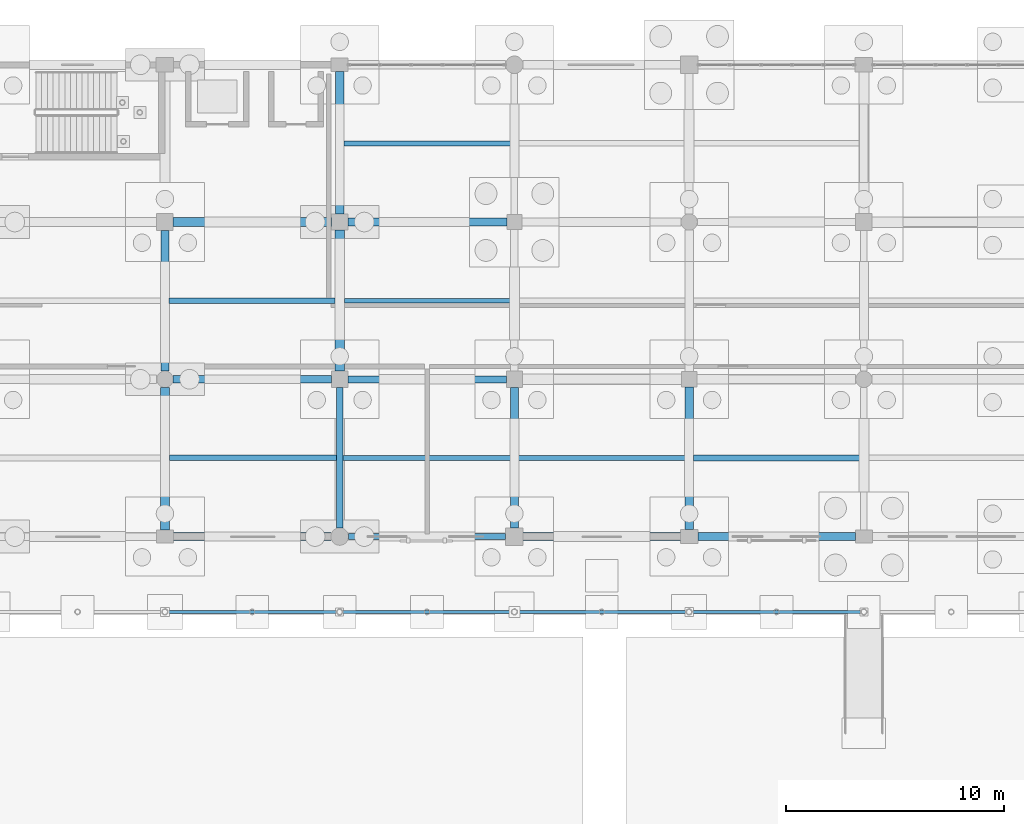
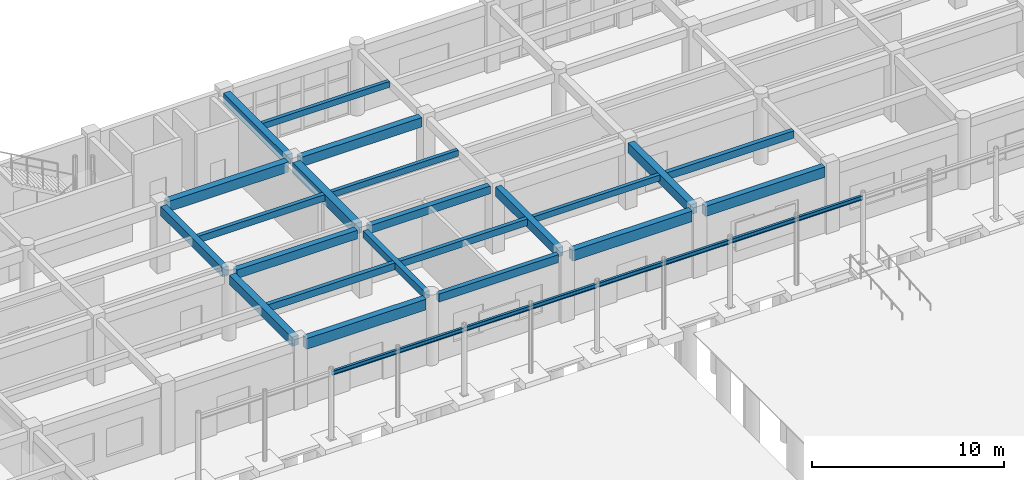
# One storey, part 66 of 166: 26 beams.
"""IFC4 building model written with IfcOpenShell, lengths in metres."""

from ifc_helpers import new_model, si_unit, direction, frame, origin, origin_2d, place, context, subcontext, project, spatial, rectangle, i_section, extrude, material, material_profile, profile_set, type_object, element, save


model = new_model("IFC4")

# Units and contexts
model_context = context("Model", 3, precision=1e-05, world=origin(), true_north=direction((0.0, 1.0)))
body_context = subcontext(model_context, "Body", "Model", "MODEL_VIEW")
ifc_project = project(units=[si_unit("LENGTHUNIT", "METRE"), si_unit("AREAUNIT", "SQUARE_METRE"), si_unit("VOLUMEUNIT", "CUBIC_METRE"), si_unit("PLANEANGLEUNIT", "RADIAN"), si_unit("MASSUNIT", "GRAM", prefix="KILO")], contexts=[model_context])

# Site, building, storey
site_placement = place(None, origin())
site = spatial("IfcSite", under=ifc_project, at=site_placement, CompositionType="ELEMENT")
building_placement = place(site_placement, origin())
building = spatial("IfcBuilding", under=site, at=building_placement, Name="Kharva Crest Polytechnic", CompositionType="ELEMENT")
storey_placement = place(building_placement, origin())
storey = spatial("IfcBuildingStorey", under=building, at=storey_placement, Name="L00", CompositionType="ELEMENT", Elevation=0.0)

# Beams
ifc_material_1 = material(Name="Concrete C35/45", Category="concrete")
ifc_material_profile_1 = material_profile(ifc_material_1, rectangle(XDim=0.300048828125, YDim=0.449951171875, at=origin_2d()), Name="RECT 300 X 450")
ifc_profile_set_1 = profile_set([ifc_material_profile_1], Name="Concrete C35/45")
beam_type_1 = type_object("IfcBeamType", Name="BM-RC-300X450", PredefinedType="BEAM", material=ifc_profile_set_1)
beam_1_placement = place(storey_placement, frame((72.0, 100.800048828125, 3.9951171875), z_axis=(0.0, 1.0, 0.0), x_axis=(-1.0, 0.0, 0.0)))
element("IfcBeam", 1, at=beam_1_placement, inside=storey, type_object=beam_type_1, Name="L00 Girder 10/P-Q", PredefinedType="BEAM", context=body_context, shape_type="SweptSolid", body=[
    extrude(rectangle(XDim=0.300048828125, YDim=0.449951171875, at=origin_2d()), origin(), (0.0, 0.0, 1.0), 6.419921875),
])
ifc_material_profile_2 = material_profile(ifc_material_1, rectangle(XDim=0.320068359375, YDim=0.5, at=origin_2d()), Name="RECT 320 X 500")
ifc_profile_set_2 = profile_set([ifc_material_profile_2], Name="Concrete C35/45")
beam_type_2 = type_object("IfcBeamType", Name="BM-RC-320X500", PredefinedType="BEAM", material=ifc_profile_set_2)
beam_2_placement = place(storey_placement, frame((72.3798828125, 107.60009765625, 3.969970703125), z_axis=(1.0, 0.0, 0.0), x_axis=(0.0, 1.0, 0.0)))
element("IfcBeam", 2, at=beam_2_placement, inside=storey, type_object=beam_type_2, Name="L00 Beam Q/10-11", PredefinedType="BEAM", context=body_context, shape_type="SweptSolid", body=[
    extrude(rectangle(XDim=0.320068359375, YDim=0.5, at=origin_2d()), origin(), (0.0, 0.0, 1.0), 7.25),
])
ifc_material_profile_3 = material_profile(ifc_material_1, rectangle(XDim=0.35009765625, YDim=0.550048828125, at=origin_2d()), Name="RECT 350 X 550")
ifc_profile_set_3 = profile_set([ifc_material_profile_3], Name="Concrete C35/45")
beam_type_3 = type_object("IfcBeamType", Name="BM-RC-350X550", PredefinedType="BEAM", material=ifc_profile_set_3)
beam_3_placement = place(storey_placement, frame((64.375, 107.60009765625, 3.945068359375), z_axis=(1.0, 0.0, 0.0), x_axis=(0.0, 1.0, 0.0)))
element("IfcBeam", 3, at=beam_3_placement, inside=storey, type_object=beam_type_3, Name="L00 Beam Q/9-10", PredefinedType="BEAM", context=body_context, shape_type="SweptSolid", body=[
    extrude(rectangle(XDim=0.35009765625, YDim=0.550048828125, at=origin_2d()), origin(), (0.0, 0.0, 1.0), 7.2451171875),
])
ifc_material_profile_4 = material_profile(ifc_material_1, rectangle(XDim=0.360107421875, YDim=0.580078125, at=origin_2d()), Name="RECT 360 X 580")
ifc_profile_set_4 = profile_set([ifc_material_profile_4], Name="Concrete C35/45")
beam_type_4 = type_object("IfcBeamType", Name="BM-RC-360X580", PredefinedType="BEAM", material=ifc_profile_set_4)
beam_4_placement = place(storey_placement, frame((64.0, 107.97509765625, 3.929931640625), z_axis=(0.0, 1.0, 0.0), x_axis=(-1.0, 0.0, 0.0)))
element("IfcBeam", 4, at=beam_4_placement, inside=storey, type_object=beam_type_4, Name="L00 Girder 9/Q-R", PredefinedType="BEAM", context=body_context, shape_type="SweptSolid", body=[
    extrude(rectangle(XDim=0.360107421875, YDim=0.580078125, at=origin_2d()), origin(), (0.0, 0.0, 1.0), 6.44482421875),
])
beam_5_placement = place(storey_placement, frame((80.0, 100.800048828125, 3.929931640625), z_axis=(0.0, 1.0, 0.0), x_axis=(-1.0, 0.0, 0.0)))
element("IfcBeam", 5, at=beam_5_placement, inside=storey, type_object=beam_type_4, Name="L00 Girder 11/P-Q", PredefinedType="BEAM", context=body_context, shape_type="SweptSolid", body=[
    extrude(rectangle(XDim=0.360107421875, YDim=0.580078125, at=origin_2d()), origin(), (0.0, 0.0, 1.0), 6.429931640625),
])
ifc_material_profile_5 = material_profile(ifc_material_1, rectangle(XDim=0.3798828125, YDim=0.60009765625, at=origin_2d()), Name="RECT 380 X 600")
ifc_profile_set_5 = profile_set([ifc_material_profile_5], Name="Concrete C35/45")
beam_type_5 = type_object("IfcBeamType", Name="BM-RC-380X600", PredefinedType="BEAM", material=ifc_profile_set_5)
beam_6_placement = place(storey_placement, frame((72.3701171875, 114.800048828125, 3.919921875), z_axis=(1.0, 0.0, 0.0), x_axis=(0.0, 1.0, 0.0)))
element("IfcBeam", 6, at=beam_6_placement, inside=storey, type_object=beam_type_5, Name="L00 Beam R/10-11", PredefinedType="BEAM", context=body_context, shape_type="SweptSolid", body=[
    extrude(rectangle(XDim=0.3798828125, YDim=0.60009765625, at=origin_2d()), origin(), (0.0, 0.0, 1.0), 7.27978515625),
])
ifc_material_profile_6 = material_profile(ifc_material_1, rectangle(XDim=0.39990234375, YDim=0.580078125, at=origin_2d()), Name="RECT 400 X 580")
ifc_profile_set_6 = profile_set([ifc_material_profile_6], Name="Concrete C35/45")
beam_type_6 = type_object("IfcBeamType", Name="BM-RC-400X580", PredefinedType="BEAM", material=ifc_profile_set_6)
beam_7_placement = place(storey_placement, frame((64.0, 100.699951171875, 3.929931640625), z_axis=(0.0, 1.0, 0.0), x_axis=(-1.0, 0.0, 0.0)))
element("IfcBeam", 7, at=beam_7_placement, inside=storey, type_object=beam_type_6, Name="L00 Girder 9/P-Q", PredefinedType="BEAM", context=body_context, shape_type="SweptSolid", body=[
    extrude(rectangle(XDim=0.39990234375, YDim=0.580078125, at=origin_2d()), origin(), (0.0, 0.0, 1.0), 6.525146484375),
])
ifc_material_profile_7 = material_profile(ifc_material_1, rectangle(XDim=0.39990234375, YDim=0.6201171875, at=origin_2d()), Name="RECT 400 X 620")
ifc_profile_set_7 = profile_set([ifc_material_profile_7], Name="Concrete C35/45")
beam_type_7 = type_object("IfcBeamType", Name="BM-RC-400X620", PredefinedType="BEAM", material=ifc_profile_set_7)
beam_8_placement = place(storey_placement, frame((72.0, 115.169921875, 3.909912109375), z_axis=(0.0, 1.0, 0.0), x_axis=(-1.0, 0.0, 0.0)))
element("IfcBeam", 8, at=beam_8_placement, inside=storey, type_object=beam_type_7, Name="L00 Girder 10/R-S", PredefinedType="BEAM", context=body_context, shape_type="SweptSolid", body=[
    extrude(rectangle(XDim=0.39990234375, YDim=0.6201171875, at=origin_2d()), origin(), (0.0, 0.0, 1.0), 6.530029296875),
])
beam_9_placement = place(storey_placement, frame((88.0, 100.72509765625, 3.909912109375), z_axis=(0.0, 1.0, 0.0), x_axis=(-1.0, 0.0, 0.0)))
element("IfcBeam", 9, at=beam_9_placement, inside=storey, type_object=beam_type_7, Name="L00 Girder 12/P-Q", PredefinedType="BEAM", context=body_context, shape_type="SweptSolid", body=[
    extrude(rectangle(XDim=0.39990234375, YDim=0.6201171875, at=origin_2d()), origin(), (0.0, 0.0, 1.0), 6.52490234375),
])
ifc_material_profile_8 = material_profile(ifc_material_1, rectangle(XDim=0.39990234375, YDim=0.64990234375, at=origin_2d()), Name="RECT 400 X 650")
ifc_profile_set_8 = profile_set([ifc_material_profile_8], Name="Concrete C35/45")
beam_type_8 = type_object("IfcBeamType", Name="BM-RC-400X650", PredefinedType="BEAM", material=ifc_profile_set_8)
beam_10_placement = place(storey_placement, frame((64.3798828125, 114.800048828125, 3.89501953125), z_axis=(1.0, 0.0, 0.0), x_axis=(0.0, 1.0, 0.0)))
element("IfcBeam", 10, at=beam_10_placement, inside=storey, type_object=beam_type_8, Name="L00 Beam R/9-10", PredefinedType="BEAM", context=body_context, shape_type="SweptSolid", body=[
    extrude(rectangle(XDim=0.39990234375, YDim=0.64990234375, at=origin_2d()), origin(), (0.0, 0.0, 1.0), 7.25),
])
ifc_material_profile_9 = material_profile(ifc_material_1, rectangle(XDim=0.449951171875, YDim=0.679931640625, at=origin_2d()), Name="RECT 450 X 680")
ifc_profile_set_9 = profile_set([ifc_material_profile_9], Name="Concrete C35/45")
beam_type_9 = type_object("IfcBeamType", Name="BM-RC-450X680", PredefinedType="BEAM", material=ifc_profile_set_9)
beam_11_placement = place(storey_placement, frame((72.0, 107.97998046875, 3.8798828125), z_axis=(0.0, 1.0, 0.0), x_axis=(-1.0, 0.0, 0.0)))
element("IfcBeam", 11, at=beam_11_placement, inside=storey, type_object=beam_type_9, Name="L00 Girder 10/Q-R", PredefinedType="BEAM", context=body_context, shape_type="SweptSolid", body=[
    extrude(rectangle(XDim=0.449951171875, YDim=0.679931640625, at=origin_2d()), origin(), (0.0, 0.0, 1.0), 6.449951171875),
])
ifc_material_2 = material(Name="Steel S355", Category="steel")
ifc_material_profile_10 = material_profile(ifc_material_2, i_section(OverallWidth=0.14794921875, OverallDepth=0.26611328125, WebThickness=0.007568359375, FlangeThickness=0.012939453125, at=origin_2d()), Name="W250X44.8")
ifc_profile_set_10 = profile_set([ifc_material_profile_10], Name="Steel S355")
beam_type_10 = type_object("IfcBeamType", Name="BM-STL-W250X44", PredefinedType="SPANDREL", material=ifc_profile_set_10)
for number, where, z_axis, x_axis, name in (
    (12, (64.02001953125, 96.949951171875, 4.156982421875), (1.0, 0.0, 0.0), (0.0, 1.0, 0.0), "L00 North Veranda Beam 2"),
    (13, (72.02001953125, 96.949951171875, 4.156982421875), (1.0, 0.0, 0.0), (0.0, 1.0, 0.0), "L00 North Veranda Beam 3"),
    (14, (80.02001953125, 96.949951171875, 4.156982421875), (1.0, 0.0, 0.0), (0.0, 1.0, 0.0), "L00 North Veranda Beam 4"),
    (15, (88.02001953125, 96.949951171875, 4.156982421875), (1.0, 0.0, 0.0), (0.0, 1.0, 0.0), "L00 North Veranda Beam 5"),
):
    element("IfcBeam", number, at=place(storey_placement, frame(where, z_axis=z_axis, x_axis=x_axis)), inside=storey, type_object=beam_type_10, Name=name, PredefinedType="SPANDREL", context=body_context, shape_type="SweptSolid", body=[
        extrude(i_section(OverallWidth=0.14794921875, OverallDepth=0.26611328125, WebThickness=0.007568359375, FlangeThickness=0.012939453125, at=origin_2d()), origin(), (0.0, 0.0, 1.0), 7.9599609375),
    ])
ifc_material_profile_11 = material_profile(ifc_material_1, rectangle(XDim=0.219970703125, YDim=0.3798828125, at=origin_2d()), Name="RECT 220 X 380")
ifc_profile_set_11 = profile_set([ifc_material_profile_11], Name="Concrete C35/45")
beam_type_11 = type_object("IfcBeamType", Name="JS-RC-220X380", PredefinedType="JOIST", material=ifc_profile_set_11)
beam_12_placement = place(storey_placement, frame((80.179931640625, 104.0, 4.030029296875), z_axis=(1.0, 0.0, 0.0), x_axis=(0.0, 1.0, 0.0)))
element("IfcBeam", 16, at=beam_12_placement, inside=storey, type_object=beam_type_11, Name="L00 Floor Joist 14", PredefinedType="JOIST", context=body_context, shape_type="SweptSolid", body=[
    extrude(rectangle(XDim=0.219970703125, YDim=0.3798828125, at=origin_2d()), origin(), (0.0, 0.0, 1.0), 7.6201171875),
])
beam_13_placement = place(storey_placement, frame((72.22509765625, 111.199951171875, 4.030029296875), z_axis=(1.0, 0.0, 0.0), x_axis=(0.0, 1.0, 0.0)))
element("IfcBeam", 17, at=beam_13_placement, inside=storey, type_object=beam_type_11, Name="L00 Floor Joist 30", PredefinedType="JOIST", context=body_context, shape_type="SweptSolid", body=[
    extrude(rectangle(XDim=0.219970703125, YDim=0.3798828125, at=origin_2d()), origin(), (0.0, 0.0, 1.0), 7.60498046875),
])
beam_14_placement = place(storey_placement, frame((72.199951171875, 118.39990234375, 4.030029296875), z_axis=(1.0, 0.0, 0.0), x_axis=(0.0, 1.0, 0.0)))
element("IfcBeam", 18, at=beam_14_placement, inside=storey, type_object=beam_type_11, Name="L00 Floor Joist 46", PredefinedType="JOIST", context=body_context, shape_type="SweptSolid", body=[
    extrude(rectangle(XDim=0.219970703125, YDim=0.3798828125, at=origin_2d()), origin(), (0.0, 0.0, 1.0), 7.650146484375),
])
ifc_material_profile_12 = material_profile(ifc_material_1, rectangle(XDim=0.239990234375, YDim=0.419921875, at=origin_2d()), Name="RECT 240 X 420")
ifc_profile_set_12 = profile_set([ifc_material_profile_12], Name="Concrete C35/45")
beam_type_12 = type_object("IfcBeamType", Name="JS-RC-240X420", PredefinedType="JOIST", material=ifc_profile_set_12)
beam_15_placement = place(storey_placement, frame((72.14990234375, 104.0, 4.010009765625), z_axis=(1.0, 0.0, 0.0), x_axis=(0.0, 1.0, 0.0)))
element("IfcBeam", 19, at=beam_15_placement, inside=storey, type_object=beam_type_12, Name="L00 Floor Joist 13", PredefinedType="JOIST", context=body_context, shape_type="SweptSolid", body=[
    extrude(rectangle(XDim=0.239990234375, YDim=0.419921875, at=origin_2d()), origin(), (0.0, 0.0, 1.0), 7.670166015625),
])
beam_16_placement = place(storey_placement, frame((64.179931640625, 111.199951171875, 4.010009765625), z_axis=(1.0, 0.0, 0.0), x_axis=(0.0, 1.0, 0.0)))
element("IfcBeam", 20, at=beam_16_placement, inside=storey, type_object=beam_type_12, Name="L00 Floor Joist 29", PredefinedType="JOIST", context=body_context, shape_type="SweptSolid", body=[
    extrude(rectangle(XDim=0.239990234375, YDim=0.419921875, at=origin_2d()), origin(), (0.0, 0.0, 1.0), 7.594970703125),
])
ifc_material_profile_13 = material_profile(ifc_material_1, rectangle(XDim=0.25, YDim=0.43994140625, at=origin_2d()), Name="RECT 250 X 440")
ifc_profile_set_13 = profile_set([ifc_material_profile_13], Name="Concrete C35/45")
beam_type_13 = type_object("IfcBeamType", Name="JS-RC-250X440", PredefinedType="JOIST", material=ifc_profile_set_13)
beam_17_placement = place(storey_placement, frame((64.199951171875, 104.0, 4.0), z_axis=(1.0, 0.0, 0.0), x_axis=(0.0, 1.0, 0.0)))
element("IfcBeam", 21, at=beam_17_placement, inside=storey, type_object=beam_type_13, Name="L00 Floor Joist 12", PredefinedType="JOIST", context=body_context, shape_type="SweptSolid", body=[
    extrude(rectangle(XDim=0.25, YDim=0.43994140625, at=origin_2d()), origin(), (0.0, 0.0, 1.0), 7.650146484375),
])
ifc_material_profile_14 = material_profile(ifc_material_1, rectangle(XDim=0.260009765625, YDim=0.4599609375, at=origin_2d()), Name="RECT 260 X 460")
ifc_profile_set_14 = profile_set([ifc_material_profile_14], Name="Concrete C35/45")
beam_type_14 = type_object("IfcBeamType", Name="JS-RC-260X460", PredefinedType="JOIST", material=ifc_profile_set_14)
beam_18_placement = place(storey_placement, frame((88.199951171875, 104.0, 3.989990234375), z_axis=(1.0, 0.0, 0.0), x_axis=(0.0, 1.0, 0.0)))
element("IfcBeam", 22, at=beam_18_placement, inside=storey, type_object=beam_type_14, Name="L00 Floor Joist 15", PredefinedType="JOIST", context=body_context, shape_type="SweptSolid", body=[
    extrude(rectangle(XDim=0.260009765625, YDim=0.4599609375, at=origin_2d()), origin(), (0.0, 0.0, 1.0), 7.650146484375),
])
ifc_material_profile_15 = material_profile(ifc_material_1, rectangle(XDim=0.280029296875, YDim=0.5, at=origin_2d()), Name="RECT 280 X 500")
ifc_profile_set_15 = profile_set([ifc_material_profile_15], Name="Concrete C35/45")
beam_type_15 = type_object("IfcBeamType", Name="SP-RC-280X500", PredefinedType="SPANDREL", material=ifc_profile_set_15)
beam_19_placement = place(storey_placement, frame((72.39990234375, 100.39990234375, 3.969970703125), z_axis=(1.0, 0.0, 0.0), x_axis=(0.0, 1.0, 0.0)))
element("IfcBeam", 23, at=beam_19_placement, inside=storey, type_object=beam_type_15, Name="L00 Beam P/10-11", PredefinedType="SPANDREL", context=body_context, shape_type="SweptSolid", body=[
    extrude(rectangle(XDim=0.280029296875, YDim=0.5, at=origin_2d()), origin(), (0.0, 0.0, 1.0), 7.2001953125),
])
ifc_material_profile_16 = material_profile(ifc_material_1, rectangle(XDim=0.360107421875, YDim=0.64990234375, at=origin_2d()), Name="RECT 360 X 650")
ifc_profile_set_16 = profile_set([ifc_material_profile_16], Name="Concrete C35/45")
beam_type_16 = type_object("IfcBeamType", Name="SP-RC-360X650", PredefinedType="SPANDREL", material=ifc_profile_set_16)
beam_20_placement = place(storey_placement, frame((88.39990234375, 100.39990234375, 3.89501953125), z_axis=(1.0, 0.0, 0.0), x_axis=(0.0, 1.0, 0.0)))
element("IfcBeam", 24, at=beam_20_placement, inside=storey, type_object=beam_type_16, Name="L00 Beam P/12-13", PredefinedType="SPANDREL", context=body_context, shape_type="SweptSolid", body=[
    extrude(rectangle(XDim=0.360107421875, YDim=0.64990234375, at=origin_2d()), origin(), (0.0, 0.0, 1.0), 7.210205078125),
])
ifc_material_profile_17 = material_profile(ifc_material_1, rectangle(XDim=0.3798828125, YDim=0.679931640625, at=origin_2d()), Name="RECT 380 X 680")
ifc_profile_set_17 = profile_set([ifc_material_profile_17], Name="Concrete C35/45")
beam_type_17 = type_object("IfcBeamType", Name="SP-RC-380X680", PredefinedType="SPANDREL", material=ifc_profile_set_17)
beam_21_placement = place(storey_placement, frame((64.389892578125, 100.39990234375, 3.8798828125), z_axis=(1.0, 0.0, 0.0), x_axis=(0.0, 1.0, 0.0)))
element("IfcBeam", 25, at=beam_21_placement, inside=storey, type_object=beam_type_17, Name="L00 Beam P/9-10", PredefinedType="SPANDREL", context=body_context, shape_type="SweptSolid", body=[
    extrude(rectangle(XDim=0.3798828125, YDim=0.679931640625, at=origin_2d()), origin(), (0.0, 0.0, 1.0), 7.210205078125),
])
beam_22_placement = place(storey_placement, frame((80.39990234375, 100.39990234375, 3.8798828125), z_axis=(1.0, 0.0, 0.0), x_axis=(0.0, 1.0, 0.0)))
element("IfcBeam", 26, at=beam_22_placement, inside=storey, type_object=beam_type_17, Name="L00 Beam P/11-12", PredefinedType="SPANDREL", context=body_context, shape_type="SweptSolid", body=[
    extrude(rectangle(XDim=0.3798828125, YDim=0.679931640625, at=origin_2d()), origin(), (0.0, 0.0, 1.0), 7.2001953125),
])

save(model, "model.ifc")
